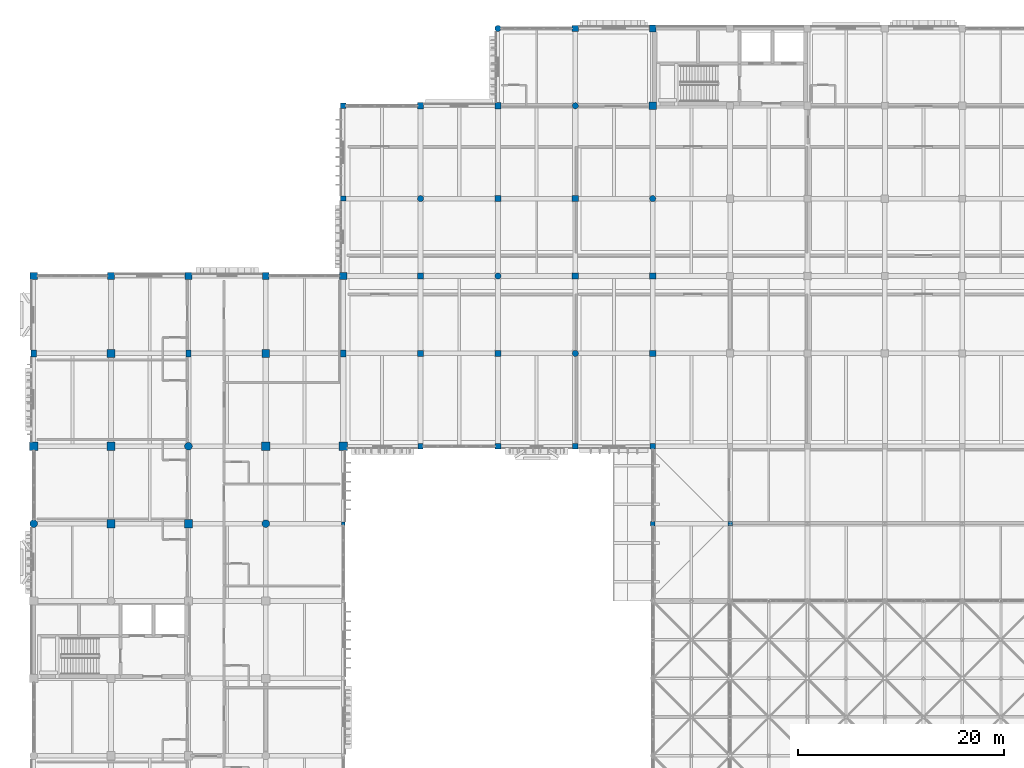
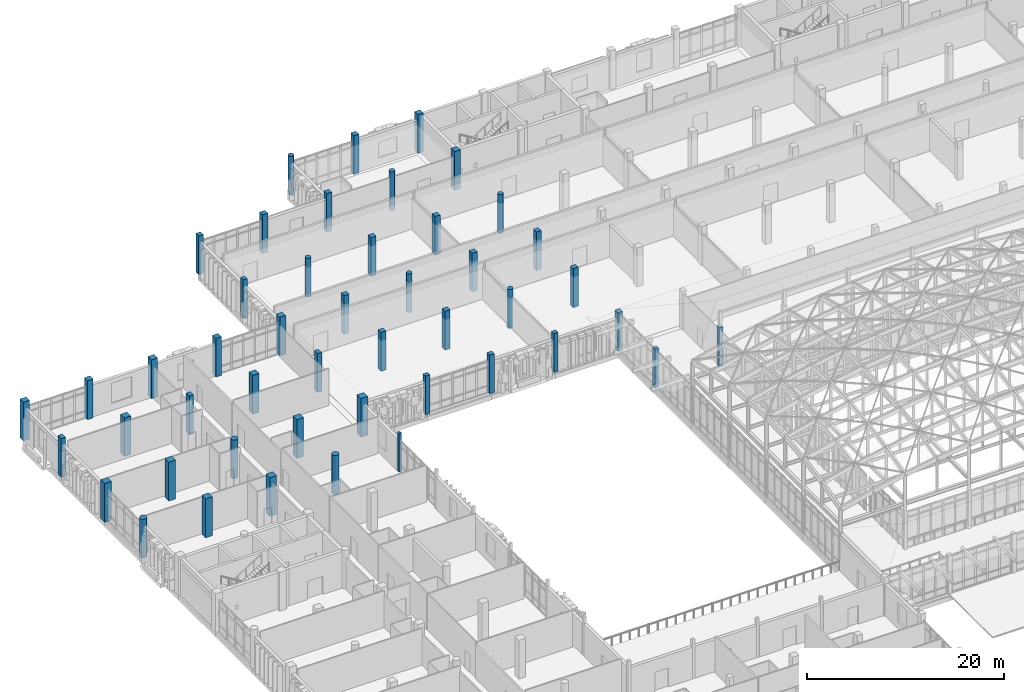
# One storey, part 7 of 131: 47 columns.
"""IFC4 building model written with IfcOpenShell, lengths in metres."""

from ifc_helpers import new_model, si_unit, direction, frame, origin, origin_2d, place, context, subcontext, project, spatial, rectangle, circle, extrude, material, material_profile, profile_set, type_object, element, save


model = new_model("IFC4")

# Units and contexts
model_context = context("Model", 3, precision=1e-05, world=origin(), true_north=direction((0.0, 1.0)))
body_context = subcontext(model_context, "Body", "Model", "MODEL_VIEW")
ifc_project = project(units=[si_unit("LENGTHUNIT", "METRE"), si_unit("AREAUNIT", "SQUARE_METRE"), si_unit("VOLUMEUNIT", "CUBIC_METRE"), si_unit("PLANEANGLEUNIT", "RADIAN"), si_unit("MASSUNIT", "GRAM", prefix="KILO")], contexts=[model_context])

# Site, building, storey
site_placement = place(None, origin())
site = spatial("IfcSite", under=ifc_project, at=site_placement, CompositionType="ELEMENT")
building_placement = place(site_placement, origin())
building = spatial("IfcBuilding", under=site, at=building_placement, Name="Dalvernix Boulevard General Hospital", CompositionType="ELEMENT")
storey_placement = place(building_placement, frame((0.0, 0.0, 9.300048828125)))
storey = spatial("IfcBuildingStorey", under=building, at=storey_placement, Name="L02", CompositionType="ELEMENT", Elevation=9.300048828125)

# Columns
ifc_material_1 = material(Name="Concrete C40/50", Category="concrete")
ifc_material_profile_1 = material_profile(ifc_material_1, rectangle(XDim=0.800048828125, YDim=0.800048828125, at=origin_2d()), Name="RC 800x800")
ifc_profile_set_1 = profile_set([ifc_material_profile_1], Name="Concrete C40/50")
column_type_1 = type_object("IfcColumnType", Name="COL-C-03-E", PredefinedType="COLUMN", material=ifc_profile_set_1)
for number, where, z_axis, x_axis, name in (
    (1, (0.0, 76.5, 0.0), (0.0, 0.0, 1.0), (1.0, 0.0, 0.0), "L02 column 1L"),
    (2, (30.0, 76.5, 0.0), (0.0, 0.0, 1.0), (1.0, 0.0, 0.0), "L02 column 5L"),
):
    element("IfcColumn", number, at=place(storey_placement, frame(where, z_axis=z_axis, x_axis=x_axis)), inside=storey, type_object=column_type_1, Name=name, PredefinedType="COLUMN", context=body_context, shape_type="SweptSolid", body=[
        extrude(rectangle(XDim=0.800048828125, YDim=0.800048828125, at=origin_2d()), origin(), (0.0, 0.0, 1.0), 4.800048828125),
    ])
ifc_material_profile_2 = material_profile(ifc_material_1, rectangle(XDim=0.800048828125, YDim=0.800048828125, at=origin_2d()), Name="RC 800x800")
ifc_profile_set_2 = profile_set([ifc_material_profile_2], Name="Concrete C40/50")
column_type_2 = type_object("IfcColumnType", Name="COL-C-03-I", PredefinedType="COLUMN", material=ifc_profile_set_2)
for number, where, z_axis, x_axis, name in (
    (3, (7.5, 69.0, 0.0), (0.0, 0.0, 1.0), (1.0, 0.0, 0.0), "L02 column 2K"),
    (4, (7.5, 76.5, 0.0), (0.0, 0.0, 1.0), (1.0, 0.0, 0.0), "L02 column 2L"),
    (5, (15.0, 69.0, 0.0), (0.0, 0.0, 1.0), (1.0, 0.0, 0.0), "L02 column 3K"),
    (6, (22.5, 76.5, 0.0), (0.0, 0.0, 1.0), (1.0, 0.0, 0.0), "L02 column 4L"),
):
    element("IfcColumn", number, at=place(storey_placement, frame(where, z_axis=z_axis, x_axis=x_axis)), inside=storey, type_object=column_type_2, Name=name, PredefinedType="COLUMN", context=body_context, shape_type="SweptSolid", body=[
        extrude(rectangle(XDim=0.800048828125, YDim=0.800048828125, at=origin_2d()), origin(), (0.0, 0.0, 1.0), 4.800048828125),
    ])
ifc_material_profile_3 = material_profile(ifc_material_1, rectangle(XDim=0.75, YDim=0.75, at=origin_2d()), Name="RC 750x750")
ifc_profile_set_3 = profile_set([ifc_material_profile_3], Name="Concrete C40/50")
column_type_3 = type_object("IfcColumnType", Name="COL-C-04-I", PredefinedType="COLUMN", material=ifc_profile_set_3)
for number, where, z_axis, x_axis, name in (
    (7, (7.5, 85.5, 0.0), (0.0, 0.0, 1.0), (1.0, 0.0, 0.0), "L02 column 2M"),
    (8, (22.5, 85.5, 0.0), (0.0, 0.0, 1.0), (1.0, 0.0, 0.0), "L02 column 4M"),
):
    element("IfcColumn", number, at=place(storey_placement, frame(where, z_axis=z_axis, x_axis=x_axis)), inside=storey, type_object=column_type_3, Name=name, PredefinedType="COLUMN", context=body_context, shape_type="SweptSolid", body=[
        extrude(rectangle(XDim=0.75, YDim=0.75, at=origin_2d()), origin(), (0.0, 0.0, 1.0), 4.800048828125),
    ])
ifc_material_profile_4 = material_profile(ifc_material_1, rectangle(XDim=0.699951171875, YDim=0.699951171875, at=origin_2d()), Name="RC 700x700")
ifc_profile_set_4 = profile_set([ifc_material_profile_4], Name="Concrete C40/50")
column_type_4 = type_object("IfcColumnType", Name="COL-C-05-E", PredefinedType="COLUMN", material=ifc_profile_set_4)
for number, where, z_axis, x_axis, name in (
    (9, (0.0, 93.0, 0.0), (0.0, 0.0, 1.0), (1.0, 0.0, 0.0), "L02 column 1N"),
    (10, (15.0, 93.0, 0.0), (0.0, 0.0, 1.0), (1.0, 0.0, 0.0), "L02 column 3N"),
    (11, (30.0, 93.0, 0.0), (0.0, 0.0, 1.0), (1.0, 0.0, 0.0), "L02 column 5N"),
):
    element("IfcColumn", number, at=place(storey_placement, frame(where, z_axis=z_axis, x_axis=x_axis)), inside=storey, type_object=column_type_4, Name=name, PredefinedType="COLUMN", context=body_context, shape_type="SweptSolid", body=[
        extrude(rectangle(XDim=0.699951171875, YDim=0.699951171875, at=origin_2d()), origin(), (0.0, 0.0, 1.0), 4.800048828125),
    ])
ifc_material_profile_5 = material_profile(ifc_material_1, rectangle(XDim=0.699951171875, YDim=0.699951171875, at=origin_2d()), Name="RC 700x700")
ifc_profile_set_5 = profile_set([ifc_material_profile_5], Name="Concrete C40/50")
column_type_5 = type_object("IfcColumnType", Name="COL-C-05-I", PredefinedType="COLUMN", material=ifc_profile_set_5)
column_1_placement = place(storey_placement, frame((60.0, 109.5, 0.0), z_axis=(0.0, 0.0, 1.0), x_axis=(1.0, 0.0, 0.0)))
element("IfcColumn", 12, at=column_1_placement, inside=storey, type_object=column_type_5, Name="L02 column 9Q", PredefinedType="COLUMN", context=body_context, shape_type="SweptSolid", body=[
    extrude(rectangle(XDim=0.699951171875, YDim=0.699951171875, at=origin_2d()), origin(), (0.0, 0.0, 1.0), 4.800048828125),
])
ifc_material_profile_6 = material_profile(ifc_material_1, rectangle(XDim=0.64990234375, YDim=0.64990234375, at=origin_2d()), Name="RC 650x650")
ifc_profile_set_6 = profile_set([ifc_material_profile_6], Name="Concrete C40/50")
column_type_6 = type_object("IfcColumnType", Name="COL-C-06-E", PredefinedType="COLUMN", material=ifc_profile_set_6)
for number, where, z_axis, x_axis, name in (
    (13, (7.5, 93.0, 0.0), (0.0, 0.0, 1.0), (1.0, 0.0, 0.0), "L02 column 2N"),
    (14, (22.5, 93.0, 0.0), (0.0, 0.0, 1.0), (1.0, 0.0, 0.0), "L02 column 4N"),
    (15, (60.0, 117.0, 0.0), (0.0, 0.0, 1.0), (1.0, 0.0, 0.0), "L02 column 9R"),
):
    element("IfcColumn", number, at=place(storey_placement, frame(where, z_axis=z_axis, x_axis=x_axis)), inside=storey, type_object=column_type_6, Name=name, PredefinedType="COLUMN", context=body_context, shape_type="SweptSolid", body=[
        extrude(rectangle(XDim=0.64990234375, YDim=0.64990234375, at=origin_2d()), origin(), (0.0, 0.0, 1.0), 4.800048828125),
    ])
ifc_material_profile_7 = material_profile(ifc_material_1, rectangle(XDim=0.60009765625, YDim=0.60009765625, at=origin_2d()), Name="RC 600x600")
ifc_profile_set_7 = profile_set([ifc_material_profile_7], Name="Concrete C40/50")
column_type_7 = type_object("IfcColumnType", Name="COL-C-07-E", PredefinedType="COLUMN", material=ifc_profile_set_7)
for number, where, z_axis, x_axis, name in (
    (16, (37.5, 109.5, 0.0), (0.0, 0.0, 1.0), (1.0, 0.0, 0.0), "L02 column 6Q"),
    (17, (45.0, 109.5, 0.0), (0.0, 0.0, 1.0), (1.0, 0.0, 0.0), "L02 column 7Q"),
    (18, (52.5, 117.0, 0.0), (0.0, 0.0, 1.0), (1.0, 0.0, 0.0), "L02 column 8R"),
):
    element("IfcColumn", number, at=place(storey_placement, frame(where, z_axis=z_axis, x_axis=x_axis)), inside=storey, type_object=column_type_7, Name=name, PredefinedType="COLUMN", context=body_context, shape_type="SweptSolid", body=[
        extrude(rectangle(XDim=0.60009765625, YDim=0.60009765625, at=origin_2d()), origin(), (0.0, 0.0, 1.0), 4.800048828125),
    ])
ifc_material_profile_8 = material_profile(ifc_material_1, rectangle(XDim=0.60009765625, YDim=0.60009765625, at=origin_2d()), Name="RC 600x600")
ifc_profile_set_8 = profile_set([ifc_material_profile_8], Name="Concrete C40/50")
column_type_8 = type_object("IfcColumnType", Name="COL-C-07-I", PredefinedType="COLUMN", material=ifc_profile_set_8)
for number, where, z_axis, x_axis, name in (
    (19, (37.5, 85.5, 0.0), (0.0, 0.0, 1.0), (1.0, 0.0, 0.0), "L02 column 6M"),
    (20, (37.5, 93.0, 0.0), (0.0, 0.0, 1.0), (1.0, 0.0, 0.0), "L02 column 6N"),
    (21, (45.0, 85.5, 0.0), (0.0, 0.0, 1.0), (1.0, 0.0, 0.0), "L02 column 7M"),
    (22, (45.0, 100.5, 0.0), (0.0, 0.0, 1.0), (1.0, 0.0, 0.0), "L02 column 7P"),
    (23, (52.5, 93.0, 0.0), (0.0, 0.0, 1.0), (1.0, 0.0, 0.0), "L02 column 8N"),
    (24, (52.5, 100.5, 0.0), (0.0, 0.0, 1.0), (1.0, 0.0, 0.0), "L02 column 8P"),
    (25, (60.0, 85.5, 0.0), (0.0, 0.0, 1.0), (1.0, 0.0, 0.0), "L02 column 9M"),
    (26, (60.0, 93.0, 0.0), (0.0, 0.0, 1.0), (1.0, 0.0, 0.0), "L02 column 9N"),
):
    element("IfcColumn", number, at=place(storey_placement, frame(where, z_axis=z_axis, x_axis=x_axis)), inside=storey, type_object=column_type_8, Name=name, PredefinedType="COLUMN", context=body_context, shape_type="SweptSolid", body=[
        extrude(rectangle(XDim=0.60009765625, YDim=0.60009765625, at=origin_2d()), origin(), (0.0, 0.0, 1.0), 4.800048828125),
    ])
ifc_material_profile_9 = material_profile(ifc_material_1, rectangle(XDim=0.550048828125, YDim=0.550048828125, at=origin_2d()), Name="RC 550x550")
ifc_profile_set_9 = profile_set([ifc_material_profile_9], Name="Concrete C40/50")
column_type_9 = type_object("IfcColumnType", Name="COL-C-08-E", PredefinedType="COLUMN", material=ifc_profile_set_9)
for number, where, z_axis, x_axis, name in (
    (27, (30.0, 109.5, 0.0), (0.0, 0.0, 1.0), (1.0, 0.0, 0.0), "L02 column 5Q"),
    (28, (45.0, 76.5, 0.0), (0.0, 0.0, 1.0), (1.0, 0.0, 0.0), "L02 column 7L"),
    (29, (60.0, 76.5, 0.0), (0.0, 0.0, 1.0), (1.0, 0.0, 0.0), "L02 column 9L"),
):
    element("IfcColumn", number, at=place(storey_placement, frame(where, z_axis=z_axis, x_axis=x_axis)), inside=storey, type_object=column_type_9, Name=name, PredefinedType="COLUMN", context=body_context, shape_type="SweptSolid", body=[
        extrude(rectangle(XDim=0.550048828125, YDim=0.550048828125, at=origin_2d()), origin(), (0.0, 0.0, 1.0), 4.800048828125),
    ])
ifc_material_profile_10 = material_profile(ifc_material_1, rectangle(XDim=0.5, YDim=0.5, at=origin_2d()), Name="RC 500x500")
ifc_profile_set_10 = profile_set([ifc_material_profile_10], Name="Concrete C40/50")
column_type_10 = type_object("IfcColumnType", Name="COL-C-09-E", PredefinedType="COLUMN", material=ifc_profile_set_10)
for number, where, z_axis, x_axis, name in (
    (30, (30.0, 100.5, 0.0), (0.0, 0.0, 1.0), (1.0, 0.0, 0.0), "L02 column 5P"),
    (31, (37.5, 76.5, 0.0), (0.0, 0.0, 1.0), (1.0, 0.0, 0.0), "L02 column 6L"),
    (32, (52.5, 76.5, 0.0), (0.0, 0.0, 1.0), (1.0, 0.0, 0.0), "L02 column 8L"),
):
    element("IfcColumn", number, at=place(storey_placement, frame(where, z_axis=z_axis, x_axis=x_axis)), inside=storey, type_object=column_type_10, Name=name, PredefinedType="COLUMN", context=body_context, shape_type="SweptSolid", body=[
        extrude(rectangle(XDim=0.5, YDim=0.5, at=origin_2d()), origin(), (0.0, 0.0, 1.0), 4.800048828125),
    ])
ifc_material_profile_11 = material_profile(ifc_material_1, rectangle(XDim=0.449951171875, YDim=0.449951171875, at=origin_2d()), Name="RC 450x450")
ifc_profile_set_11 = profile_set([ifc_material_profile_11], Name="Concrete C40/50")
column_type_11 = type_object("IfcColumnType", Name="COL-C-10-E", PredefinedType="COLUMN", material=ifc_profile_set_11)
column_2_placement = place(storey_placement, frame((60.0, 69.0, 0.0), z_axis=(0.0, 0.0, 1.0), x_axis=(1.0, 0.0, 0.0)))
element("IfcColumn", 33, at=column_2_placement, inside=storey, type_object=column_type_11, Name="L02 column 9K", PredefinedType="COLUMN", context=body_context, shape_type="SweptSolid", body=[
    extrude(rectangle(XDim=0.449951171875, YDim=0.449951171875, at=origin_2d()), origin(), (0.0, 0.0, 1.0), 4.800048828125),
])
ifc_material_profile_12 = material_profile(ifc_material_1, rectangle(XDim=0.449951171875, YDim=0.449951171875, at=origin_2d()), Name="RC 450x450")
ifc_profile_set_12 = profile_set([ifc_material_profile_12], Name="Concrete C40/50")
column_type_12 = type_object("IfcColumnType", Name="COL-C-10-I", PredefinedType="COLUMN", material=ifc_profile_set_12)
column_3_placement = place(storey_placement, frame((67.5, 69.0, 0.0), z_axis=(0.0, 0.0, 1.0), x_axis=(1.0, 0.0, 0.0)))
element("IfcColumn", 34, at=column_3_placement, inside=storey, type_object=column_type_12, Name="L02 column 10K", PredefinedType="COLUMN", context=body_context, shape_type="SweptSolid", body=[
    extrude(rectangle(XDim=0.449951171875, YDim=0.449951171875, at=origin_2d()), origin(), (0.0, 0.0, 1.0), 4.800048828125),
])
ifc_material_profile_13 = material_profile(ifc_material_1, rectangle(XDim=0.5, YDim=0.64990234375, at=origin_2d()), Name="RC 500x650")
ifc_profile_set_13 = profile_set([ifc_material_profile_13], Name="Concrete C40/50")
column_type_13 = type_object("IfcColumnType", Name="COL-C-12-E", PredefinedType="COLUMN", material=ifc_profile_set_13)
column_4_placement = place(storey_placement, frame((0.0, 85.5, 0.0), z_axis=(0.0, 0.0, 1.0), x_axis=(1.0, 0.0, 0.0)))
element("IfcColumn", 35, at=column_4_placement, inside=storey, type_object=column_type_13, Name="L02 column 1M", PredefinedType="COLUMN", context=body_context, shape_type="SweptSolid", body=[
    extrude(rectangle(XDim=0.5, YDim=0.64990234375, at=origin_2d()), origin(), (0.0, 0.0, 1.0), 4.800048828125),
])
ifc_material_profile_14 = material_profile(ifc_material_1, rectangle(XDim=0.5, YDim=0.64990234375, at=origin_2d()), Name="RC 500x650")
ifc_profile_set_14 = profile_set([ifc_material_profile_14], Name="Concrete C40/50")
column_type_14 = type_object("IfcColumnType", Name="COL-C-12-I", PredefinedType="COLUMN", material=ifc_profile_set_14)
for number, where, z_axis, x_axis, name in (
    (36, (15.0, 85.5, 0.0), (0.0, 0.0, 1.0), (1.0, 0.0, 0.0), "L02 column 3M"),
    (37, (30.0, 85.5, 0.0), (0.0, 0.0, 1.0), (1.0, 0.0, 0.0), "L02 column 5M"),
):
    element("IfcColumn", number, at=place(storey_placement, frame(where, z_axis=z_axis, x_axis=x_axis)), inside=storey, type_object=column_type_14, Name=name, PredefinedType="COLUMN", context=body_context, shape_type="SweptSolid", body=[
        extrude(rectangle(XDim=0.5, YDim=0.64990234375, at=origin_2d()), origin(), (0.0, 0.0, 1.0), 4.800048828125),
    ])
ifc_material_profile_15 = material_profile(ifc_material_1, circle(Radius=0.375, at=origin_2d()), Name="RC D750")
ifc_profile_set_15 = profile_set([ifc_material_profile_15], Name="Concrete C40/50")
column_type_15 = type_object("IfcColumnType", Name="COL-C-14-E", PredefinedType="COLUMN", material=ifc_profile_set_15)
column_5_placement = place(storey_placement, frame((0.0, 69.0, 0.0), z_axis=(0.0, 0.0, 1.0), x_axis=(1.0, 0.0, 0.0)))
element("IfcColumn", 38, at=column_5_placement, inside=storey, type_object=column_type_15, Name="L02 column 1K", PredefinedType="COLUMN", context=body_context, shape_type="SweptSolid", body=[
    extrude(circle(Radius=0.375, at=origin_2d()), origin(), (0.0, 0.0, 1.0), 4.800048828125),
])
ifc_material_profile_16 = material_profile(ifc_material_1, circle(Radius=0.375, at=origin_2d()), Name="RC D750")
ifc_profile_set_16 = profile_set([ifc_material_profile_16], Name="Concrete C40/50")
column_type_16 = type_object("IfcColumnType", Name="COL-C-14-I", PredefinedType="COLUMN", material=ifc_profile_set_16)
for number, where, z_axis, x_axis, name in (
    (39, (15.0, 76.5, 0.0), (0.0, 0.0, 1.0), (1.0, 0.0, 0.0), "L02 column 3L"),
    (40, (22.5, 69.0, 0.0), (0.0, 0.0, 1.0), (1.0, 0.0, 0.0), "L02 column 4K"),
):
    element("IfcColumn", number, at=place(storey_placement, frame(where, z_axis=z_axis, x_axis=x_axis)), inside=storey, type_object=column_type_16, Name=name, PredefinedType="COLUMN", context=body_context, shape_type="SweptSolid", body=[
        extrude(circle(Radius=0.375, at=origin_2d()), origin(), (0.0, 0.0, 1.0), 4.800048828125),
    ])
ifc_material_profile_17 = material_profile(ifc_material_1, circle(Radius=0.300048828125, at=origin_2d()), Name="RC D600")
ifc_profile_set_17 = profile_set([ifc_material_profile_17], Name="Concrete C40/50")
column_type_17 = type_object("IfcColumnType", Name="COL-C-15-E", PredefinedType="COLUMN", material=ifc_profile_set_17)
column_6_placement = place(storey_placement, frame((45.0, 117.0, 0.0), z_axis=(0.0, 0.0, 1.0), x_axis=(1.0, 0.0, 0.0)))
element("IfcColumn", 41, at=column_6_placement, inside=storey, type_object=column_type_17, Name="L02 column 7R", PredefinedType="COLUMN", context=body_context, shape_type="SweptSolid", body=[
    extrude(circle(Radius=0.300048828125, at=origin_2d()), origin(), (0.0, 0.0, 1.0), 4.800048828125),
])
ifc_material_profile_18 = material_profile(ifc_material_1, circle(Radius=0.300048828125, at=origin_2d()), Name="RC D600")
ifc_profile_set_18 = profile_set([ifc_material_profile_18], Name="Concrete C40/50")
column_type_18 = type_object("IfcColumnType", Name="COL-C-15-I", PredefinedType="COLUMN", material=ifc_profile_set_18)
for number, where, z_axis, x_axis, name in (
    (42, (37.5, 100.5, 0.0), (0.0, 0.0, 1.0), (1.0, 0.0, 0.0), "L02 column 6P"),
    (43, (45.0, 93.0, 0.0), (0.0, 0.0, 1.0), (1.0, 0.0, 0.0), "L02 column 7N"),
    (44, (52.5, 85.5, 0.0), (0.0, 0.0, 1.0), (1.0, 0.0, 0.0), "L02 column 8M"),
    (45, (52.5, 109.5, 0.0), (0.0, 0.0, 1.0), (1.0, 0.0, 0.0), "L02 column 8Q"),
    (46, (60.0, 100.5, 0.0), (0.0, 0.0, 1.0), (1.0, 0.0, 0.0), "L02 column 9P"),
):
    element("IfcColumn", number, at=place(storey_placement, frame(where, z_axis=z_axis, x_axis=x_axis)), inside=storey, type_object=column_type_18, Name=name, PredefinedType="COLUMN", context=body_context, shape_type="SweptSolid", body=[
        extrude(circle(Radius=0.300048828125, at=origin_2d()), origin(), (0.0, 0.0, 1.0), 4.800048828125),
    ])
ifc_material_2 = material(Name="Glulam GL28h", Category="wood")
ifc_material_profile_19 = material_profile(ifc_material_2, rectangle(XDim=0.320068359375, YDim=0.320068359375, at=origin_2d()), Name="GL28h 320x320")
ifc_profile_set_19 = profile_set([ifc_material_profile_19], Name="Glulam GL28h")
column_type_19 = type_object("IfcColumnType", Name="COL-C-20-E", PredefinedType="COLUMN", material=ifc_profile_set_19)
column_7_placement = place(storey_placement, frame((30.0, 69.0, 0.0), z_axis=(0.0, 0.0, 1.0), x_axis=(1.0, 0.0, 0.0)))
element("IfcColumn", 47, at=column_7_placement, inside=storey, type_object=column_type_19, Name="L02 column 5K", PredefinedType="COLUMN", context=body_context, shape_type="SweptSolid", body=[
    extrude(rectangle(XDim=0.320068359375, YDim=0.320068359375, at=origin_2d()), origin(), (0.0, 0.0, 1.0), 4.800048828125),
])

save(model, "model.ifc")
